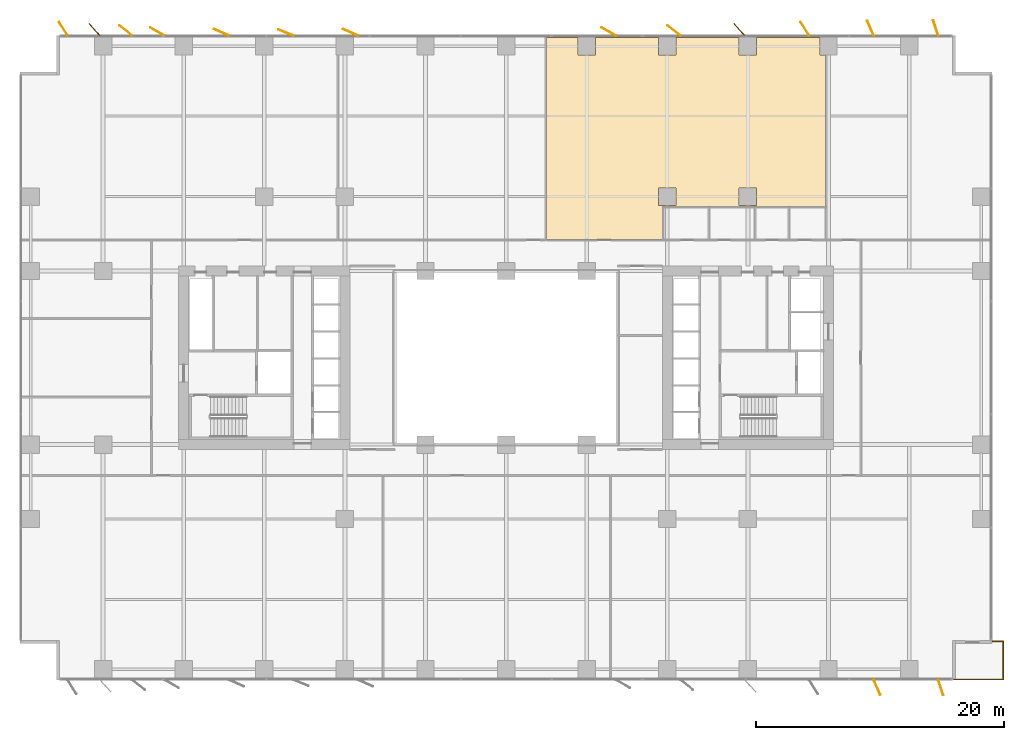
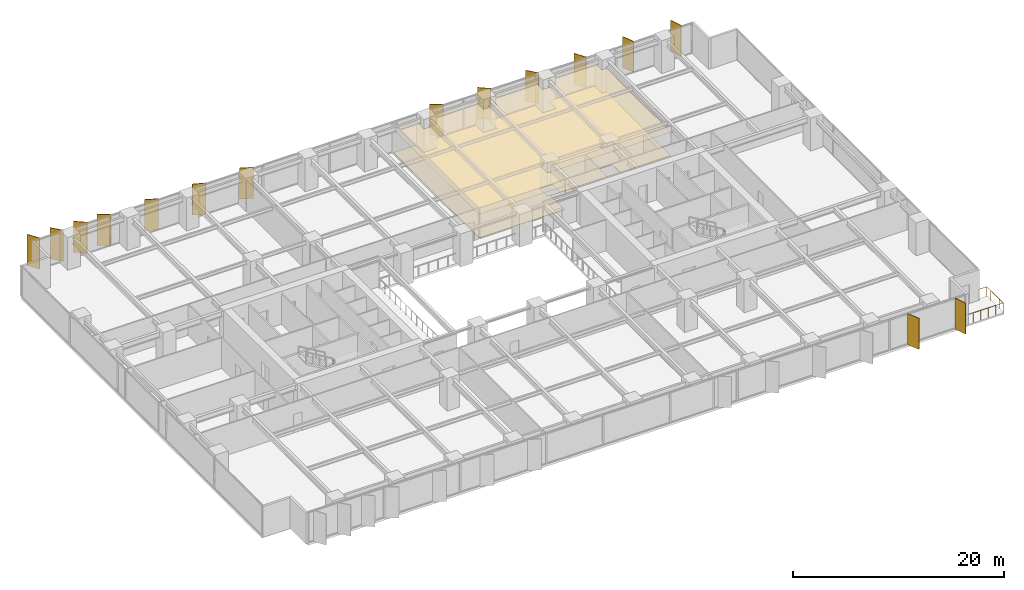
# One storey, part 20 of 20: 15 shading devices, 2 coverings, 1 railing.
"""IFC4 building model written with IfcOpenShell, lengths in metres."""

from ifc_helpers import new_model, si_unit, direction, frame, origin, origin_2d, place, context, subcontext, project, spatial, polyline, rectangle, circle, outline, extrude, material, layer, layer_set, type_object, element, save


model = new_model("IFC4")

# Units and contexts
model_context = context("Model", 3, precision=1e-05, world=origin(), true_north=direction((0.0, 1.0)))
body_context = subcontext(model_context, "Body", "Model", "MODEL_VIEW")
ifc_project = project(units=[si_unit("LENGTHUNIT", "METRE"), si_unit("AREAUNIT", "SQUARE_METRE"), si_unit("VOLUMEUNIT", "CUBIC_METRE"), si_unit("PLANEANGLEUNIT", "RADIAN"), si_unit("MASSUNIT", "GRAM", prefix="KILO")], contexts=[model_context])

# Site, building, storey
site_placement = place(None, origin())
site = spatial("IfcSite", under=ifc_project, at=site_placement, CompositionType="ELEMENT")
building_placement = place(site_placement, origin())
building = spatial("IfcBuilding", under=site, at=building_placement, Name="Putna Gate Headquarters", CompositionType="ELEMENT")
storey_placement = place(building_placement, frame((0.0, 0.0, 50.60009765625)))
storey = spatial("IfcBuildingStorey", under=building, at=storey_placement, Name="L11", CompositionType="ELEMENT", Elevation=50.60009765625)

# Coverings
ifc_material_1 = material(Name="Perforated mineral-fibre acoustic ceiling tile")
ifc_layer_1 = layer(ifc_material_1, 0.0400390625)
ifc_layer_set_1 = layer_set([ifc_layer_1], Name="Perforated mineral-fibre acoustic ceiling tile")
covering_type_1 = type_object("IfcCoveringType", Name="COV-ACOUSTIC-CEILING", PredefinedType="CEILING", material=ifc_layer_set_1)
covering_1_placement = place(storey_placement, frame((0.0, 0.0, 2.7099609375)))
element("IfcCovering", 1, at=covering_1_placement, inside=storey, type_object=covering_type_1, Name="L11 Acoustic Ceiling Covering 1", PredefinedType="CEILING", context=body_context, shape_type="SweptSolid", body=[
    extrude(outline(polyline([(51.31201171875, 51.827880859375), (51.31201171875, 51.840087890625), (46.18798828125, 51.840087890625), (46.18798828125, 51.827880859375), (46.2080078125, 51.827880859375), (46.2080078125, 50.412109375), (44.7919921875, 50.412109375), (44.7919921875, 51.827880859375), (44.81201171875, 51.827880859375), (44.81201171875, 51.840087890625), (42.239990234375, 51.840087890625), (42.239990234375, 35.5400390625), (51.60009765625, 35.5400390625), (51.60009765625, 38.219970703125), (64.760009765625, 38.219970703125), (64.760009765625, 50.412109375), (64.2919921875, 50.412109375), (64.2919921875, 51.827880859375), (64.31201171875, 51.827880859375), (64.31201171875, 51.840087890625), (59.18798828125, 51.840087890625), (59.18798828125, 51.827880859375), (59.2080078125, 51.827880859375), (59.2080078125, 50.412109375), (57.7919921875, 50.412109375), (57.7919921875, 51.827880859375), (57.81201171875, 51.827880859375), (57.81201171875, 51.840087890625), (52.68798828125, 51.840087890625), (52.68798828125, 51.827880859375), (52.7080078125, 51.827880859375), (52.7080078125, 50.412109375), (51.2919921875, 50.412109375), (51.2919921875, 51.827880859375), (51.31201171875, 51.827880859375)]), holes=[polyline([(59.2080078125, 38.2919921875), (59.2080078125, 39.7080078125), (57.7919921875, 39.7080078125), (57.7919921875, 38.2919921875), (59.2080078125, 38.2919921875)]), polyline([(52.7080078125, 38.2919921875), (52.7080078125, 39.7080078125), (51.2919921875, 39.7080078125), (51.2919921875, 38.2919921875), (52.7080078125, 38.2919921875)])]), origin(), (0.0, 0.0, 1.0), 0.0400390625),
])
ifc_material_2 = material(Name="Calcium-sulphate raised access floor finish")
ifc_layer_2 = layer(ifc_material_2, 0.030029296875)
ifc_layer_set_2 = layer_set([ifc_layer_2], Name="Calcium-sulphate raised access floor finish")
covering_type_2 = type_object("IfcCoveringType", Name="COV-RAISED-FLOORING", PredefinedType="FLOORING", material=ifc_layer_set_2)
covering_2_placement = place(storey_placement, origin())
element("IfcCovering", 2, at=covering_2_placement, inside=storey, type_object=covering_type_2, Name="L11 Raised Access Floor Covering 1", PredefinedType="FLOORING", context=body_context, shape_type="SweptSolid", body=[
    extrude(outline(polyline([(51.31201171875, 51.827880859375), (51.31201171875, 51.840087890625), (46.18798828125, 51.840087890625), (46.18798828125, 51.827880859375), (46.2080078125, 51.827880859375), (46.2080078125, 50.412109375), (44.7919921875, 50.412109375), (44.7919921875, 51.827880859375), (44.81201171875, 51.827880859375), (44.81201171875, 51.840087890625), (42.239990234375, 51.840087890625), (42.239990234375, 35.5400390625), (51.60009765625, 35.5400390625), (51.60009765625, 38.219970703125), (64.760009765625, 38.219970703125), (64.760009765625, 50.412109375), (64.2919921875, 50.412109375), (64.2919921875, 51.827880859375), (64.31201171875, 51.827880859375), (64.31201171875, 51.840087890625), (59.18798828125, 51.840087890625), (59.18798828125, 51.827880859375), (59.2080078125, 51.827880859375), (59.2080078125, 50.412109375), (57.7919921875, 50.412109375), (57.7919921875, 51.827880859375), (57.81201171875, 51.827880859375), (57.81201171875, 51.840087890625), (52.68798828125, 51.840087890625), (52.68798828125, 51.827880859375), (52.7080078125, 51.827880859375), (52.7080078125, 50.412109375), (51.2919921875, 50.412109375), (51.2919921875, 51.827880859375), (51.31201171875, 51.827880859375)]), holes=[polyline([(59.2080078125, 38.2919921875), (59.2080078125, 39.7080078125), (57.7919921875, 39.7080078125), (57.7919921875, 38.2919921875), (59.2080078125, 38.2919921875)]), polyline([(52.7080078125, 38.2919921875), (52.7080078125, 39.7080078125), (51.2919921875, 39.7080078125), (51.2919921875, 38.2919921875), (52.7080078125, 38.2919921875)])]), origin(), (0.0, 0.0, 1.0), 0.02978515625),
])

# Railing
ifc_material_3 = material(Name="Anodised bronze steel and laminated glass guardrail", Category="steel")
railing_type = type_object("IfcRailingType", Name="RAIL-TERR-GUARD-1150", PredefinedType="GUARDRAIL", material=ifc_material_3)
railing_placement = place(storey_placement, frame((75.0, 0.06005859375, 0.0)))
element("IfcRailing", 3, at=railing_placement, inside=storey, type_object=railing_type, Name="L11 Spiral Sky Terrace Guardrail SE", PredefinedType="GUARDRAIL", context=body_context, shape_type="SweptSolid", body=[
    extrude(circle(Radius=0.02392578125, at=origin_2d()), frame((0.0, 0.0, 1.1259765625), z_axis=(1.0, 0.0, 0.0), x_axis=(0.0, 1.0, 0.0)), (0.0, 0.0, 1.0), 4.090087890625),
    extrude(circle(Radius=0.02392578125, at=origin_2d()), frame((4.090087890625, 0.0, 1.1259765625), z_axis=(0.0, 1.0, 0.0), x_axis=(-1.0, 0.0, 0.0)), (0.0, 0.0, 1.0), 3.079833984375),
    extrude(circle(Radius=0.02392578125, at=origin_2d()), frame((4.090087890625, 3.079833984375, 1.1259765625), z_axis=(-1.0, 0.0, 0.0), x_axis=(0.0, -1.0, 0.0)), (0.0, 0.0, 1.0), 0.89013671875),
    extrude(circle(Radius=0.02099609375, at=origin_2d()), origin(), (0.0, 0.0, 1.0), 1.101806640625),
    extrude(circle(Radius=0.02099609375, at=origin_2d()), frame((0.818115234375, 0.0, 0.0)), (0.0, 0.0, 1.0), 1.101806640625),
    extrude(circle(Radius=0.02099609375, at=origin_2d()), frame((1.635986328125, 0.0, 0.0)), (0.0, 0.0, 1.0), 1.101806640625),
    extrude(circle(Radius=0.02099609375, at=origin_2d()), frame((2.4541015625, 0.0, 0.0)), (0.0, 0.0, 1.0), 1.101806640625),
    extrude(circle(Radius=0.02099609375, at=origin_2d()), frame((3.27197265625, 0.0, 0.0)), (0.0, 0.0, 1.0), 1.101806640625),
    extrude(circle(Radius=0.02099609375, at=origin_2d()), frame((4.090087890625, 0.0, 0.0)), (0.0, 0.0, 1.0), 1.101806640625),
    extrude(circle(Radius=0.02099609375, at=origin_2d()), frame((4.090087890625, 0.77001953125, 0.0)), (0.0, 0.0, 1.0), 1.101806640625),
    extrude(circle(Radius=0.02099609375, at=origin_2d()), frame((4.090087890625, 1.5400390625, 0.0)), (0.0, 0.0, 1.0), 1.101806640625),
    extrude(circle(Radius=0.02099609375, at=origin_2d()), frame((4.090087890625, 2.309814453125, 0.0)), (0.0, 0.0, 1.0), 1.101806640625),
    extrude(circle(Radius=0.02099609375, at=origin_2d()), frame((4.090087890625, 3.079833984375, 0.0)), (0.0, 0.0, 1.0), 1.101806640625),
    extrude(circle(Radius=0.02099609375, at=origin_2d()), frame((3.199951171875, 3.079833984375, 0.0)), (0.0, 0.0, 1.0), 1.101806640625),
])

# Shading devices
ifc_material_4 = material(Name="Anodised architectural bronze aluminium fin", Category="aluminium")
ifc_layer_3 = layer(ifc_material_4, 0.06494140625)
ifc_layer_set_3 = layer_set([ifc_layer_3], Name="Anodised architectural bronze aluminium fin")
shading_device_type = type_object("IfcShadingDeviceType", Name="SHADE-BRONZE-FIN-1320", PredefinedType="USERDEFINED", material=ifc_layer_set_3)
for number, where, z_axis, x_axis, name in (
    (4, (3.2998046875, 52.534423828125, -0.02001953125), (0.0, 0.0, 1.0), (-0.530659123936, 0.847585331506, 0.0), "L11 Bronze Vertical Shading Fin N1"),
    (5, (5.808349609375, 52.465576171875, -0.02001953125), (0.0, 0.0, 1.0), (-0.669130606359, 0.743144825477, 0.0), "L11 Bronze Vertical Shading Fin N2"),
    (6, (8.330322265625, 52.3818359375, -0.02001953125), (0.0, 0.0, 1.0), (-0.787473187632, 0.616348909921, 0.0), "L11 Bronze Vertical Shading Fin N3"),
    (7, (10.876220703125, 52.30126953125, -0.02001953125), (0.0, 0.0, 1.0), (-0.869322458298, 0.494245347472, 0.0), "L11 Bronze Vertical Shading Fin N4"),
    (8, (16.047119140625, 52.2431640625, -0.02001953125), (0.0, 0.0, 1.0), (-0.913687379856, 0.40641773078, 0.0), "L11 Bronze Vertical Shading Fin N5"),
    (9, (21.238037109375, 52.22216796875, -0.02001953125), (0.0, 0.0, 1.0), (-0.927183854567, 0.374606593416, 0.0), "L11 Bronze Vertical Shading Fin N6"),
    (10, (26.447021484375, 52.2431640625, -0.02001953125), (0.0, 0.0, 1.0), (-0.913687379856, 0.40641773078, 0.0), "L11 Bronze Vertical Shading Fin N7"),
    (11, (47.276123046875, 52.30126953125, -0.02001953125), (0.0, 0.0, 1.0), (-0.869322458298, 0.494245347472, 0.0), "L11 Bronze Vertical Shading Fin N8"),
    (12, (52.5302734375, 52.3818359375, -0.02001953125), (0.0, 0.0, 1.0), (-0.787473187632, 0.616348909921, 0.0), "L11 Bronze Vertical Shading Fin N9"),
    (13, (57.808349609375, 52.465576171875, -0.02001953125), (0.0, 0.0, 1.0), (-0.669130606359, 0.743144825477, 0.0), "L11 Bronze Vertical Shading Fin N10"),
    (14, (63.099853515625, 52.534423828125, -0.02001953125), (0.0, 0.0, 1.0), (-0.530659123936, 0.847585331506, 0.0), "L11 Bronze Vertical Shading Fin N11"),
    (15, (68.914306640625, -0.57958984375, -0.02001953125), (0.0, 0.0, 1.0), (0.400668879095, -0.916222925562, 0.0), "L11 Bronze Vertical Shading Fin S12"),
    (16, (68.385498046875, 52.57958984375, -0.02001953125), (0.0, 0.0, 1.0), (-0.400668879095, 0.916222925562, 0.0), "L11 Bronze Vertical Shading Fin N12"),
    (17, (74.0537109375, -0.602783203125, -0.02001953125), (0.0, 0.0, 1.0), (0.308684994204, -0.951164325631, 0.0), "L11 Bronze Vertical Shading Fin S13"),
    (18, (73.646240234375, 52.602783203125, -0.02001953125), (0.0, 0.0, 1.0), (-0.308684994204, 0.951164325631, 0.0), "L11 Bronze Vertical Shading Fin N13"),
):
    element("IfcShadingDevice", number, at=place(storey_placement, frame(where, z_axis=z_axis, x_axis=x_axis)), inside=storey, type_object=shading_device_type, Name=name, ObjectType="FIN", PredefinedType="USERDEFINED", context=body_context, shape_type="SweptSolid", body=[
        extrude(rectangle(XDim=1.320068359375, YDim=0.06494140625, at=origin_2d()), origin(), (0.0, 0.0, 1.0), 3.590087890625),
    ])

save(model, "model.ifc")
